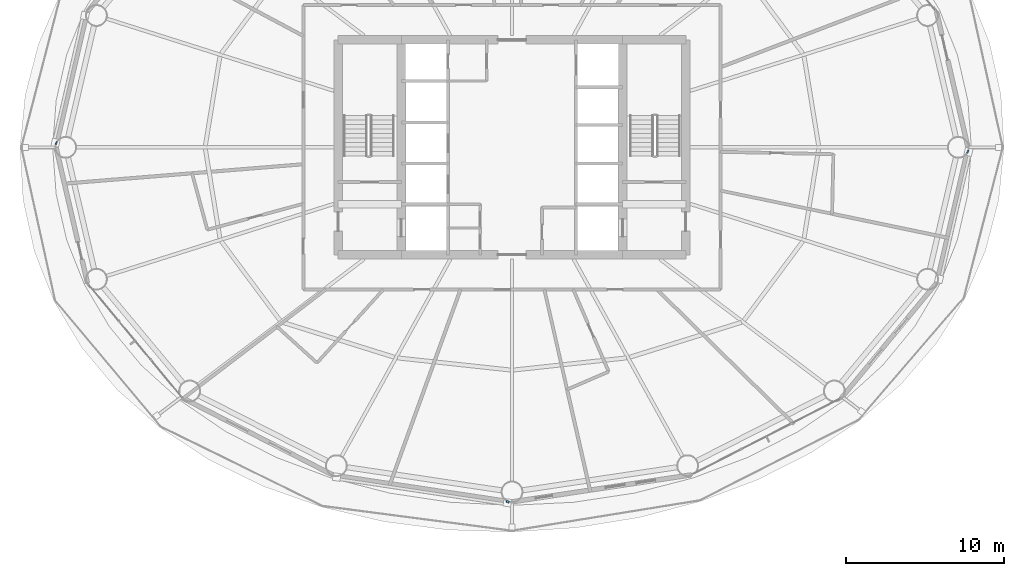
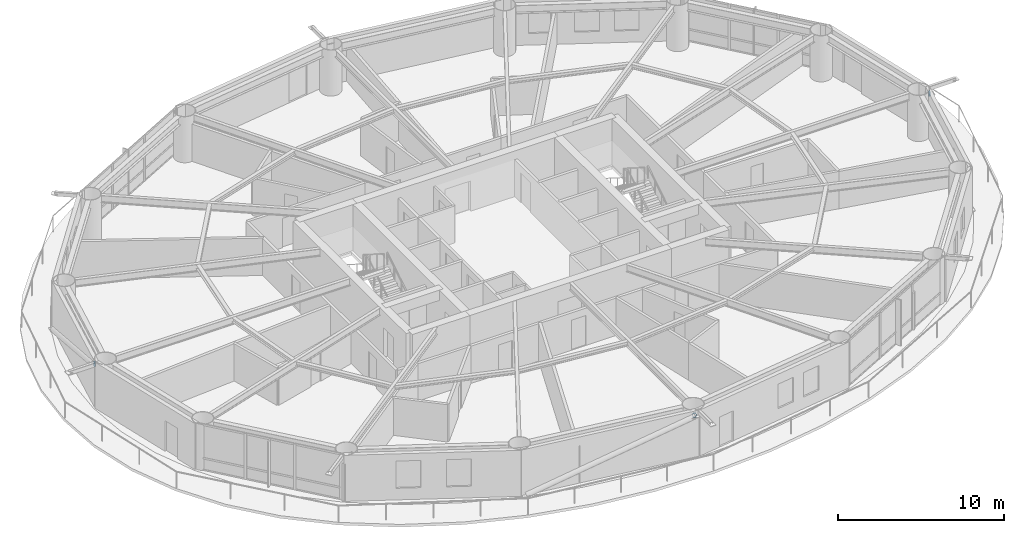
# One storey, part 13 of 24: 3 members.
"""IFC4 building model written with IfcOpenShell, lengths in metres."""

from ifc_helpers import new_model, si_unit, direction, frame, origin, origin_2d, place, context, subcontext, project, spatial, hollow_rectangle, extrude, material, material_profile, profile_set, type_object, element, save


model = new_model("IFC4")

# Units and contexts
model_context = context("Model", 3, precision=1e-05, world=origin(), true_north=direction((0.0, 1.0)))
body_context = subcontext(model_context, "Body", "Model", "MODEL_VIEW")
ifc_project = project(units=[si_unit("LENGTHUNIT", "METRE"), si_unit("AREAUNIT", "SQUARE_METRE"), si_unit("VOLUMEUNIT", "CUBIC_METRE"), si_unit("PLANEANGLEUNIT", "RADIAN"), si_unit("MASSUNIT", "GRAM", prefix="KILO")], contexts=[model_context])

# Site, building, storey
site_placement = place(None, origin())
site = spatial("IfcSite", under=ifc_project, at=site_placement, CompositionType="ELEMENT")
building_placement = place(site_placement, origin())
building = spatial("IfcBuilding", under=site, at=building_placement, Name="Sarneth Arch Tower", CompositionType="ELEMENT")
storey_placement = place(building_placement, frame((0.0, 0.0, 127.199951171875)))
storey = spatial("IfcBuildingStorey", under=building, at=storey_placement, Name="L32", CompositionType="ELEMENT", Elevation=127.199951171875)

# Members
ifc_material = material(Name="Steel S355", Category="steel")
ifc_material_profile = material_profile(ifc_material, hollow_rectangle(XDim=0.199951171875, YDim=0.300048828125, WallThickness=0.012451171875, InnerFilletRadius=0.018798828125, OuterFilletRadius=0.03125, at=origin_2d()), Name="RHS300x200x12.5")
ifc_profile_set = profile_set([ifc_material_profile], Name="Steel S355")
member_type = type_object("IfcMemberType", Name="MEM-CANT-STRUT", PredefinedType="STRUT", material=ifc_profile_set)
member_1_placement = place(storey_placement, frame((19.21044921875, 42.251708984375, 3.013427734375), z_axis=(-0.910281049829, 0.413990833621, 0.0), x_axis=(-0.413990833621, -0.910281049829, 0.0)))
element("IfcMember", 1, at=member_1_placement, inside=storey, type_object=member_type, Name="L32 Exoskeleton brace node strut 08B", PredefinedType="STRUT", context=body_context, shape_type="SweptSolid", body=[
    extrude(hollow_rectangle(XDim=0.199951171875, YDim=0.300048828125, WallThickness=0.012451171875, InnerFilletRadius=0.018798828125, OuterFilletRadius=0.03125, at=origin_2d()), origin(), (0.0, 0.0, 1.0), 0.097900390625),
])
member_2_placement = place(storey_placement, frame((47.7587890625, 19.642578125, 3.013427734375), z_axis=(-0.397509148639, -0.917598210955, 0.0), x_axis=(0.917598210955, -0.397509148639, 0.0)))
element("IfcMember", 2, at=member_2_placement, inside=storey, type_object=member_type, Name="L32 Exoskeleton brace node strut 12B", PredefinedType="STRUT", context=body_context, shape_type="SweptSolid", body=[
    extrude(hollow_rectangle(XDim=0.199951171875, YDim=0.300048828125, WallThickness=0.012451171875, InnerFilletRadius=0.018798828125, OuterFilletRadius=0.03125, at=origin_2d()), origin(), (0.0, 0.0, 1.0), 0.139404296875),
])
member_3_placement = place(storey_placement, frame((76.78955078125, 41.748291015625, 3.013427734375), z_axis=(0.910281049829, -0.413990833621, 0.0), x_axis=(0.413990833621, 0.910281049829, 0.0)))
element("IfcMember", 3, at=member_3_placement, inside=storey, type_object=member_type, Name="L32 Exoskeleton brace node strut 16B", PredefinedType="STRUT", context=body_context, shape_type="SweptSolid", body=[
    extrude(hollow_rectangle(XDim=0.199951171875, YDim=0.300048828125, WallThickness=0.012451171875, InnerFilletRadius=0.018798828125, OuterFilletRadius=0.03125, at=origin_2d()), origin(), (0.0, 0.0, 1.0), 0.097900390625),
])

save(model, "model.ifc")
